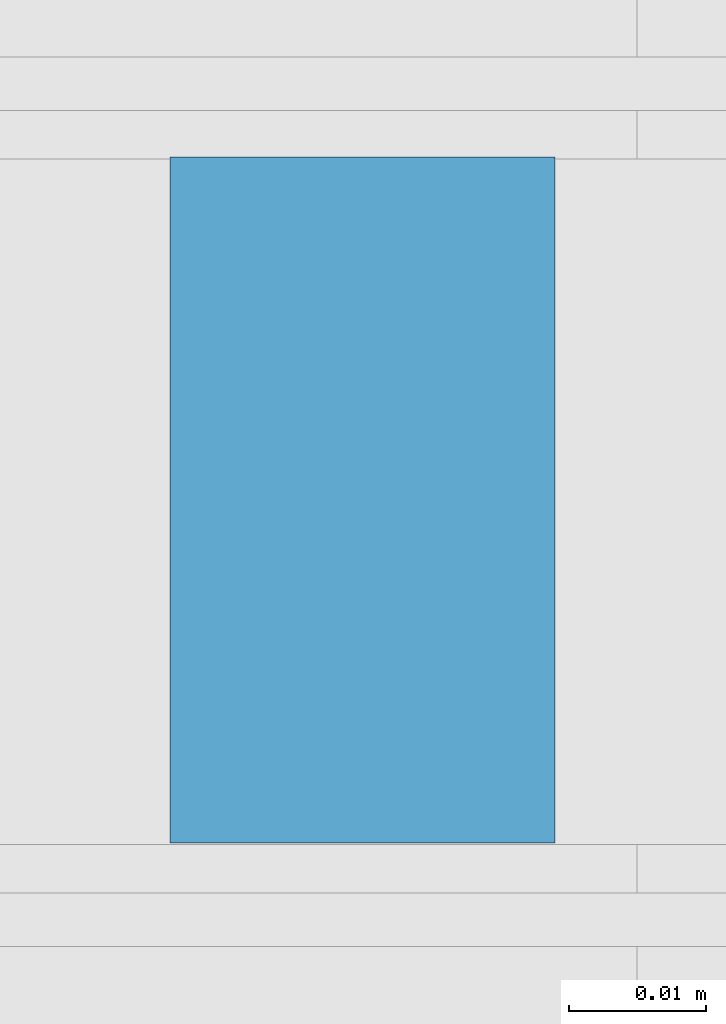
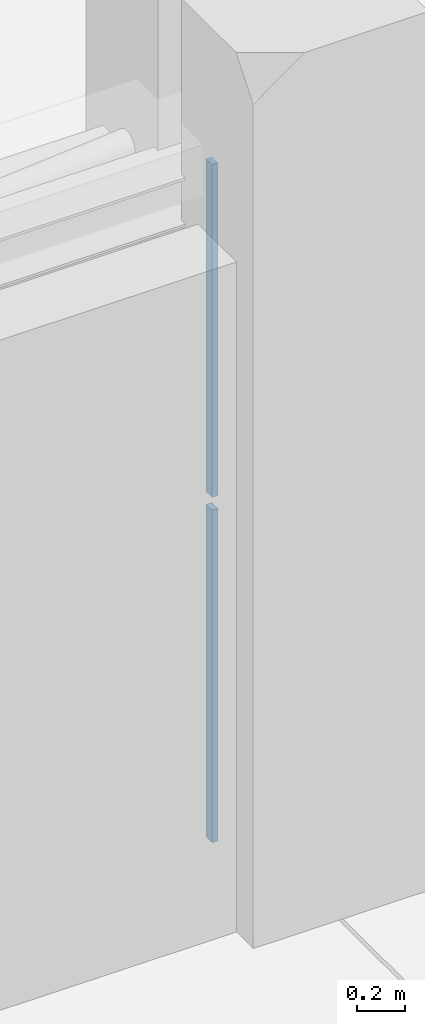
# One storey, part 91 of 137: 2 plates, 1 element without a shape of its own.
"""IFC4 building model written with IfcOpenShell, lengths in metres."""

from ifc_helpers import new_model, si_unit, direction, frame, origin, origin_2d, place, context, subcontext, project, spatial, rectangle, extrude, material, layer, layer_set, type_object, element, aggregate, save


model = new_model("IFC4")

# Units and contexts
model_context = context("Model", 3, precision=1e-05, world=origin(), true_north=direction((0.0, 1.0)))
body_context = subcontext(model_context, "Body", "Model", "MODEL_VIEW")
ifc_project = project(units=[si_unit("LENGTHUNIT", "METRE"), si_unit("AREAUNIT", "SQUARE_METRE"), si_unit("VOLUMEUNIT", "CUBIC_METRE"), si_unit("PLANEANGLEUNIT", "RADIAN"), si_unit("MASSUNIT", "GRAM", prefix="KILO")], contexts=[model_context])

# Site, building, storey
site_placement = place(None, origin())
site = spatial("IfcSite", under=ifc_project, at=site_placement, CompositionType="ELEMENT")
building_placement = place(site_placement, origin())
building = spatial("IfcBuilding", under=site, at=building_placement, Name="Xazarin Passage Department Store", CompositionType="ELEMENT")
storey_placement = place(building_placement, frame((0.0, 0.0, 5.39990234375)))
storey = spatial("IfcBuildingStorey", under=building, at=storey_placement, Name="L01", CompositionType="ELEMENT", Elevation=5.39990234375)

# Curtain wall, plates
ifc_material_1 = material(Name="Bronze anodised aluminium", Category="aluminium")
ifc_layer_1 = layer(ifc_material_1, 0.14990234375)
ifc_layer_set_1 = layer_set([ifc_layer_1], Name="Bronze anodised aluminium")
curtain_wall_type = type_object("IfcCurtainWallType", Name="ARC-CW-BRG1", PredefinedType="NOTDEFINED", material=ifc_layer_set_1)
curtain_wall_placement = place(storey_placement, origin())
curtain_wall = element("IfcCurtainWall", 1, at=curtain_wall_placement, inside=storey, type_object=curtain_wall_type, Name="L01 BR-V1-V3 Bridge Curtain Wall 2", PredefinedType="NOTDEFINED")
ifc_material_2 = material(Name="Low-E laminated safety glass", Category="glass")
ifc_layer_2 = layer(ifc_material_2, 0.028076171875)
ifc_layer_set_2 = layer_set([ifc_layer_2], Name="Low-E laminated safety glass")
plate_type = type_object("IfcPlateType", Name="ARC-CWP-GLZ28", PredefinedType="CURTAIN_PANEL", material=ifc_layer_set_2)
plate_1_placement = place(storey_placement, frame((33.3798828125, 50.800048828125, 0.06494140625), z_axis=(0.0, 0.0, 1.0), x_axis=(0.0, 1.0, 0.0)))
plate_1 = element("IfcPlate", 2, at=plate_1_placement, type_object=plate_type, Name="CW7 panel 1.1", PredefinedType="CURTAIN_PANEL", context=body_context, shape_type="SweptSolid", body=[
    extrude(rectangle(XDim=0.050048828125, YDim=0.028076171875, at=origin_2d()), origin(), (0.0, 0.0, 1.0), 1.702392578125),
])
plate_2_placement = place(storey_placement, frame((33.3798828125, 50.800048828125, 1.83251953125), z_axis=(0.0, 0.0, 1.0), x_axis=(0.0, 1.0, 0.0)))
plate_2 = element("IfcPlate", 3, at=plate_2_placement, type_object=plate_type, Name="CW7 panel 1.2", PredefinedType="CURTAIN_PANEL", context=body_context, shape_type="SweptSolid", body=[
    extrude(rectangle(XDim=0.050048828125, YDim=0.028076171875, at=origin_2d()), origin(), (0.0, 0.0, 1.0), 1.702392578125),
])
aggregate(curtain_wall, [plate_1, plate_2])

save(model, "model.ifc")
